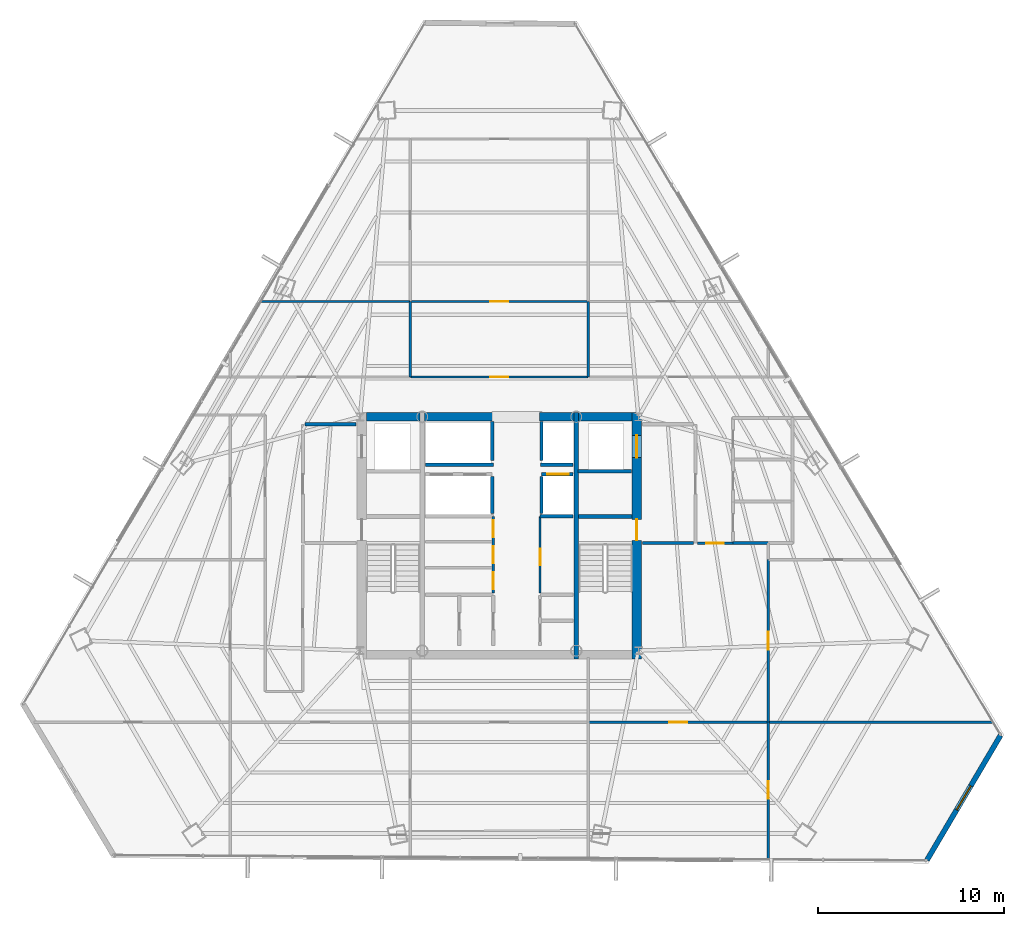
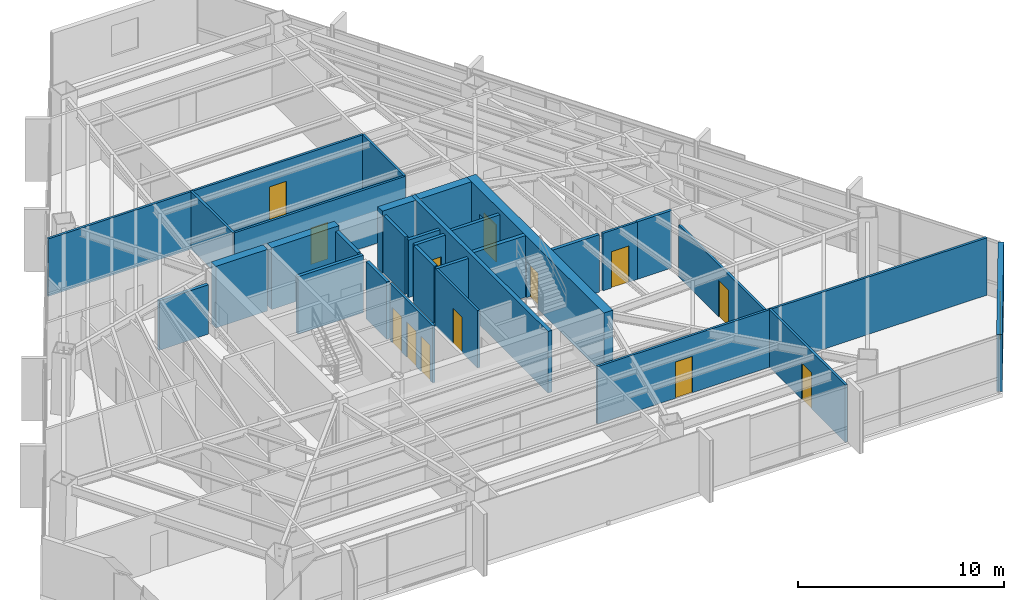
# One storey, part 37 of 41: 32 walls, 13 doors, 1 window, 14 openings.
"""IFC4 building model written with IfcOpenShell, lengths in metres."""

import ifcopenshell
import ifcopenshell.guid

model = None  # the IFC model being written
_history = None  # IfcOwnerHistory: only IFC2X3 demands one
_inside = {}  # id of a spatial element -> (the spatial element, [elements in it])
_under = {}  # id of a project, library or spatial element -> (it, [spatial elements below it])
_declared = {}  # id of a project -> (the project, [libraries it declares])
_typed = {}  # id of a type object -> (the type object, [elements of that type])
_made_of = {}  # id of a material, layer set ... -> (it, [elements and type objects made of it])


def new_model(schema):
    """Start an empty IFC model of exactly this schema.

    Asked for "IFC4X3", IfcOpenShell would pick the latest addendum, in which some entities
    have other attributes; the version numbers below select the first issue.
    IFC2X3 requires an IfcOwnerHistory on every rooted entity: one is made here for all.
    """
    global model, _history
    if schema == "IFC4X3":
        model = ifcopenshell.file(schema_version=(4, 3, 0, 0))
    else:
        model = ifcopenshell.file(schema=schema)
    _inside.clear()
    _under.clear()
    _declared.clear()
    _typed.clear()
    _made_of.clear()
    _history = None
    if model.schema == "IFC2X3":
        org = make("IfcOrganization", Name="unknown")
        user = make(
            "IfcPersonAndOrganization",
            ThePerson=make("IfcPerson", FamilyName="unknown"),
            TheOrganization=org,
        )
        app = make(
            "IfcApplication",
            ApplicationDeveloper=org,
            Version="unknown",
            ApplicationFullName="unknown",
            ApplicationIdentifier="unknown",
        )
        _history = make(
            "IfcOwnerHistory",
            OwningUser=user,
            OwningApplication=app,
            ChangeAction="ADDED",
            CreationDate=0,
        )
    return model


def make(cls, **values):
    """One entity of the class cls with the attributes given. An attribute that is None is left unset."""
    return model.create_entity(
        cls, **{name: value for name, value in values.items() if value is not None}
    )


def rooted(cls, **values):
    """An entity with a GlobalId (a new one), such as an element, a storey or a relation."""
    return make(cls, GlobalId=ifcopenshell.guid.new(), OwnerHistory=_history, **values)


def si_unit(unit_type, name, prefix=None):
    """IfcSIUnit, for example si_unit("LENGTHUNIT", "METRE", prefix="MILLI")."""
    return make("IfcSIUnit", UnitType=unit_type, Prefix=prefix, Name=name)


def assignment(units):
    """IfcUnitAssignment: the units of a project."""
    return None if units is None else make("IfcUnitAssignment", Units=units)


def point(xyz):
    """IfcCartesianPoint."""
    return None if xyz is None else make("IfcCartesianPoint", Coordinates=xyz)


def direction(xyz):
    """IfcDirection."""
    return None if xyz is None else make("IfcDirection", DirectionRatios=xyz)


def frame(location, z_axis=None, x_axis=None):
    """IfcAxis2Placement3D, a coordinate frame: its origin and axes. An axis left out is left unset."""
    return make(
        "IfcAxis2Placement3D",
        Location=point(location),
        Axis=direction(z_axis),
        RefDirection=direction(x_axis),
    )


def frame_2d(location, x_axis=None):
    """IfcAxis2Placement2D, a coordinate frame in the plane: its origin and x axis."""
    return make(
        "IfcAxis2Placement2D", Location=point(location), RefDirection=direction(x_axis)
    )


def origin():
    """The frame at (0, 0, 0) with its axes left unset."""
    return frame((0.0, 0.0, 0.0))


def place(relative_to, where):
    """IfcLocalPlacement: puts the frame where relative to a parent placement (None: the world)."""
    return make(
        "IfcLocalPlacement", PlacementRelTo=relative_to, RelativePlacement=where
    )


def context(
    kind, dimensions, precision=None, world=None, true_north=None, identifier=None
):
    """IfcGeometricRepresentationContext, for example the 3D "Model" context."""
    return make(
        "IfcGeometricRepresentationContext",
        ContextIdentifier=identifier,
        ContextType=kind,
        CoordinateSpaceDimension=dimensions,
        Precision=precision,
        WorldCoordinateSystem=world,
        TrueNorth=true_north,
    )


def subcontext(parent, identifier, kind, view, scale=None):
    """IfcGeometricRepresentationSubContext, for example "Body" below "Model"."""
    return make(
        "IfcGeometricRepresentationSubContext",
        ContextIdentifier=identifier,
        ContextType=kind,
        ParentContext=parent,
        TargetScale=scale,
        TargetView=view,
    )


def project(units=None, contexts=None):
    """IfcProject with its units and contexts."""
    return rooted(
        "IfcProject",
        Name="project",
        RepresentationContexts=contexts,
        UnitsInContext=assignment(units),
    )


def spatial(cls, under=None, at=None, **own):
    """A site, building, storey or space (cls), placed at a placement, below another one or the project."""
    s = rooted(cls, ObjectPlacement=at, **own)
    if under is not None:
        _under.setdefault(under.id(), (under, []))[1].append(s)
    return s


def profile(cls, at=None, kind="AREA", **sizes):
    """A parametric profile (cls). Its sizes go by their IFC names, for example OverallWidth=200.0."""
    return make(cls, ProfileType=kind, Position=at, **sizes)


def rectangle(**sizes):
    """IfcRectangleProfileDef."""
    return profile("IfcRectangleProfileDef", **sizes)


def extrude(swept, where, along, depth):
    """IfcExtrudedAreaSolid: the profile swept, set in the frame where, extruded along a direction by depth."""
    return make(
        "IfcExtrudedAreaSolid",
        SweptArea=swept,
        Position=where,
        ExtrudedDirection=direction(along),
        Depth=depth,
    )


def shape(context_of_items, identifier, shape_type, items):
    """IfcShapeRepresentation: the items that make up one representation, for example the "Body"."""
    return make(
        "IfcShapeRepresentation",
        ContextOfItems=context_of_items,
        RepresentationIdentifier=identifier,
        RepresentationType=shape_type,
        Items=items,
    )


def material(Name=None, Category=None):
    """IfcMaterial."""
    return make("IfcMaterial", Name=Name, Category=Category)


def layer(
    of_material, thickness, ventilated=None, Name=None, Category=None, Priority=None
):
    """IfcMaterialLayer: one layer of a wall or slab, of a material (None: an air gap)."""
    return make(
        "IfcMaterialLayer",
        Material=of_material,
        LayerThickness=thickness,
        IsVentilated=ventilated,
        Name=Name,
        Category=Category,
        Priority=Priority,
    )


def layer_set(layers, Name=None):
    """IfcMaterialLayerSet."""
    return make("IfcMaterialLayerSet", MaterialLayers=layers, LayerSetName=Name)


def made_of(thing, what):
    """Note that an element or type object is made of a material, layer set ...; save() writes the relation."""
    if what is not None:
        _made_of.setdefault(what.id(), (what, []))[1].append(thing)
    return thing


def type_object(cls, material=None, **own):
    """A type object (cls), such as IfcWallType, which elements share."""
    return made_of(rooted(cls, **own), material)


def element(
    cls,
    number,
    at=None,
    inside=None,
    cuts=None,
    type_object=None,
    material=None,
    context=None,
    identifier="Body",
    shape_type=None,
    held_by="IfcProductDefinitionShape",
    body=None,
    shapes=None,
    **own,
):
    """One element of the class cls, such as IfcWall. Its Tag is "e" and its number.

    at: its placement. inside: the storey or other place that contains it. cuts: it is an
    opening in that element (IfcRelVoidsElement). A single representation is given by context,
    identifier, shape_type and body (its items); several are given by shapes. held_by: the class
    of the entity that holds the representations. save() writes the other relations.
    """
    e = rooted(cls, Tag="e%d" % number, ObjectPlacement=at, **own)
    if body is not None:
        shapes = [shape(context, identifier, shape_type, body)]
    if shapes is not None:
        e.Representation = make(held_by, Representations=shapes)
    if inside is not None:
        _inside.setdefault(inside.id(), (inside, []))[1].append(e)
    if cuts is not None:
        rooted(
            "IfcRelVoidsElement", RelatingBuildingElement=cuts, RelatedOpeningElement=e
        )
    if type_object is not None:
        _typed.setdefault(type_object.id(), (type_object, []))[1].append(e)
    return made_of(e, material)


def fill(opening, filler):
    """IfcRelFillsElement: the door or window that sits in an opening."""
    return rooted(
        "IfcRelFillsElement",
        RelatingOpeningElement=opening,
        RelatedBuildingElement=filler,
    )


def aggregate(whole, parts):
    """IfcRelAggregates: a whole, such as a stair, and the parts it consists of."""
    return rooted("IfcRelAggregates", RelatingObject=whole, RelatedObjects=parts)


def save(model, path):
    """Write the relations noted so far, then the file.

    IfcRelAggregates (storeys below a building ...), IfcRelContainedInSpatialStructure (elements
    in a storey), IfcRelDefinesByType, IfcRelAssociatesMaterial and IfcRelDeclares: one each for
    every whole, place, type object, material and project.
    """
    for whole, parts in _under.values():
        aggregate(whole, parts)
    for where, things in _inside.values():
        rooted(
            "IfcRelContainedInSpatialStructure",
            RelatedElements=things,
            RelatingStructure=where,
        )
    for kind, things in _typed.values():
        rooted("IfcRelDefinesByType", RelatedObjects=things, RelatingType=kind)
    for what, things in _made_of.values():
        rooted("IfcRelAssociatesMaterial", RelatedObjects=things, RelatingMaterial=what)
    for by, libraries in _declared.values():
        rooted("IfcRelDeclares", RelatingContext=by, RelatedDefinitions=libraries)
    model.write(path)


model = new_model("IFC4")

# Units and contexts
model_context = context("Model", 3, precision=1e-05, world=origin(), true_north=direction((0.0, 1.0)))
body_context = subcontext(model_context, "Body", "Model", "MODEL_VIEW")
ifc_project = project(units=[si_unit("LENGTHUNIT", "METRE"), si_unit("AREAUNIT", "SQUARE_METRE"), si_unit("VOLUMEUNIT", "CUBIC_METRE"), si_unit("PLANEANGLEUNIT", "RADIAN"), si_unit("MASSUNIT", "GRAM", prefix="KILO")], contexts=[model_context])

# Site, building, storey
site_placement = place(None, origin())
site = spatial("IfcSite", under=ifc_project, at=site_placement, CompositionType="ELEMENT")
building_placement = place(site_placement, origin())
building = spatial("IfcBuilding", under=site, at=building_placement, Name="Caelisora Broadcast Tower", CompositionType="ELEMENT")
storey_placement = place(building_placement, frame((0.0, 0.0, 162.14990234375)))
storey = spatial("IfcBuildingStorey", under=building, at=storey_placement, Name="L42", CompositionType="ELEMENT", Elevation=162.14990234375)

# Wall, openings, doors
ifc_material_1 = material(Name="Concrete 50 MPa (AS 3600 S50)", Category="concrete")
ifc_layer_1 = layer(ifc_material_1, 0.5, Name="Concrete 50 MPa (AS 3600 S50)")
ifc_layer_set_1 = layer_set([ifc_layer_1], Name="Concrete 50 MPa (AS 3600 S50)")
wall_type_1 = type_object("IfcWallType", Name="CW2", PredefinedType="SHEAR", material=ifc_layer_set_1)
wall_1_placement = place(storey_placement, frame((45.409912109375, 16.949951171875, 0.0), z_axis=(0.0, 0.0, 1.0), x_axis=(0.0, 1.0, 0.0)))
wall_1 = element("IfcWall", 1, at=wall_1_placement, inside=storey, type_object=wall_type_1, Name="L42 core shear wall CW2", PredefinedType="SHEAR", context=body_context, shape_type="SweptSolid", body=[
    extrude(rectangle(XDim=13.275146484375, YDim=0.5, at=frame_2d((6.6376953125, 0.0))), origin(), (0.0, 0.0, 1.0), 3.650146484375),
])
opening_1_placement = place(wall_1_placement, frame((6.39990234375, 0.0, 0.0)))
opening_1 = element("IfcOpeningElement", 2, at=opening_1_placement, cuts=wall_1, Name="Opening FD04", PredefinedType="OPENING", context=body_context, shape_type="SweptSolid", body=[
    extrude(rectangle(XDim=1.1201171875, YDim=2.14990234375, at=frame_2d((0.56005859375, 1.074951171875))), frame((0.0, 0.261962890625, 0.0), z_axis=(0.0, -1.0, 0.0), x_axis=(1.0, 0.0, 0.0)), (0.0, 0.0, 1.0), 0.52392578125),
])
opening_2_placement = place(wall_1_placement, frame((10.85009765625, 0.0, 0.0)))
opening_2 = element("IfcOpeningElement", 3, at=opening_2_placement, cuts=wall_1, Name="Opening LD04", PredefinedType="OPENING", context=body_context, shape_type="SweptSolid", body=[
    extrude(rectangle(XDim=1.199951171875, YDim=2.199951171875, at=frame_2d((0.60009765625, 1.10009765625))), frame((0.0, 0.261962890625, 0.0), z_axis=(0.0, -1.0, 0.0), x_axis=(1.0, 0.0, 0.0)), (0.0, 0.0, 1.0), 0.52392578125),
])
ifc_material_2 = material(Name="Pressurised Fire-Isolated Stair Door", Category="steel")
door_type_1 = type_object("IfcDoorType", Name="FD04", OperationType="NOTDEFINED", PredefinedType="DOOR", material=ifc_material_2)
door_1_placement = place(opening_1_placement, origin())
door_1 = element("IfcDoor", 4, at=door_1_placement, inside=storey, type_object=door_type_1, Name="L42 door FD04 (L42-DR-ST2)", OperationType="SINGLE_SWING_RIGHT", OverallHeight=2.14990234375, OverallWidth=1.1201171875, PredefinedType="DOOR", context=body_context, shape_type="SweptSolid", body=[
    extrude(rectangle(XDim=1.1201171875, YDim=2.14990234375, at=frame_2d((0.56005859375, 1.074951171875))), frame((0.0, 0.02490234375, 0.0), z_axis=(0.0, -1.0, 0.0), x_axis=(1.0, 0.0, 0.0)), (0.0, 0.0, 1.0), 0.050048828125),
])
fill(opening_1, door_1)
ifc_material_3 = material(Name="Emergency Firefighting Lift Sliding Landing Door", Category="steel")
door_type_2 = type_object("IfcDoorType", Name="LD04", OperationType="NOTDEFINED", PredefinedType="DOOR", material=ifc_material_3)
door_2_placement = place(opening_2_placement, origin())
door_2 = element("IfcDoor", 5, at=door_2_placement, inside=storey, type_object=door_type_2, Name="L42 door LD04 (L42-LD-FFL2)", OperationType="SLIDING_TO_RIGHT", OverallHeight=2.199951171875, OverallWidth=1.199951171875, PredefinedType="DOOR", context=body_context, shape_type="SweptSolid", body=[
    extrude(rectangle(XDim=1.199951171875, YDim=2.199951171875, at=frame_2d((0.60009765625, 1.10009765625))), frame((0.0, 0.02490234375, 0.0), z_axis=(0.0, -1.0, 0.0), x_axis=(1.0, 0.0, 0.0)), (0.0, 0.0, 1.0), 0.050048828125),
])
fill(opening_2, door_2)

# Walls
ifc_layer_2 = layer(ifc_material_1, 0.449951171875, Name="Concrete 50 MPa (AS 3600 S50)")
ifc_layer_set_2 = layer_set([ifc_layer_2], Name="Concrete 50 MPa (AS 3600 S50)")
wall_type_2 = type_object("IfcWallType", Name="CW5", PredefinedType="SHEAR", material=ifc_layer_set_2)
wall_2_placement = place(storey_placement, frame((30.840087890625, 30.0, 0.0), z_axis=(0.0, 0.0, 1.0), x_axis=(1.0, 0.0, 0.0)))
element("IfcWall", 6, at=wall_2_placement, inside=storey, type_object=wall_type_2, Name="L42 core shear wall CW5", PredefinedType="SHEAR", context=body_context, shape_type="SweptSolid", body=[
    extrude(rectangle(XDim=2.89990234375, YDim=0.449951171875, at=frame_2d((1.449951171875, 0.0))), origin(), (0.0, 0.0, 1.0), 3.650146484375),
])
wall_3_placement = place(storey_placement, frame((33.9599609375, 30.0, 0.0), z_axis=(0.0, 0.0, 1.0), x_axis=(1.0, 0.0, 0.0)))
element("IfcWall", 7, at=wall_3_placement, inside=storey, type_object=wall_type_2, Name="L42 core shear wall CW5", PredefinedType="SHEAR", context=body_context, shape_type="SweptSolid", body=[
    extrude(rectangle(XDim=3.780029296875, YDim=0.449951171875, at=frame_2d((1.89013671875, 0.0))), origin(), (0.0, 0.0, 1.0), 3.650146484375),
])
wall_4_placement = place(storey_placement, frame((40.159912109375, 30.0, 0.0), z_axis=(0.0, 0.0, 1.0), x_axis=(1.0, 0.0, 0.0)))
element("IfcWall", 8, at=wall_4_placement, inside=storey, type_object=wall_type_2, Name="L42 core shear wall CW5", PredefinedType="SHEAR", context=body_context, shape_type="SweptSolid", body=[
    extrude(rectangle(XDim=1.880126953125, YDim=0.449951171875, at=frame_2d((0.93994140625, 0.0))), origin(), (0.0, 0.0, 1.0), 3.650146484375),
])
wall_5_placement = place(storey_placement, frame((42.260009765625, 30.0, 0.0), z_axis=(0.0, 0.0, 1.0), x_axis=(1.0, 0.0, 0.0)))
element("IfcWall", 9, at=wall_5_placement, inside=storey, type_object=wall_type_2, Name="L42 core shear wall CW5", PredefinedType="SHEAR", context=body_context, shape_type="SweptSolid", body=[
    extrude(rectangle(XDim=2.89990234375, YDim=0.449951171875, at=frame_2d((1.449951171875, 0.0))), origin(), (0.0, 0.0, 1.0), 3.650146484375),
])
ifc_layer_3 = layer(ifc_material_1, 0.219970703125, Name="Concrete 50 MPa (AS 3600 S50)")
ifc_layer_set_3 = layer_set([ifc_layer_3], Name="Concrete 50 MPa (AS 3600 S50)")
wall_type_3 = type_object("IfcWallType", Name="CW7", PredefinedType="SHEAR", material=ifc_layer_set_3)
wall_6_placement = place(storey_placement, frame((42.14990234375, 16.949951171875, 0.0), z_axis=(0.0, 0.0, 1.0), x_axis=(0.0, 1.0, 0.0)))
element("IfcWall", 10, at=wall_6_placement, inside=storey, type_object=wall_type_3, Name="L42 core shear wall CW7", PredefinedType="SHEAR", context=body_context, shape_type="SweptSolid", body=[
    extrude(rectangle(XDim=13.275146484375, YDim=0.219970703125, at=frame_2d((6.6376953125, 0.0))), origin(), (0.0, 0.0, 1.0), 3.650146484375),
])
wall_7_placement = place(storey_placement, frame((42.260009765625, 24.639892578125, 0.0), z_axis=(0.0, 0.0, 1.0), x_axis=(1.0, 0.0, 0.0)))
element("IfcWall", 11, at=wall_7_placement, inside=storey, type_object=wall_type_3, Name="L42 core shear wall CW7", PredefinedType="SHEAR", context=body_context, shape_type="SweptSolid", body=[
    extrude(rectangle(XDim=2.89990234375, YDim=0.219970703125, at=frame_2d((1.449951171875, 0.0))), origin(), (0.0, 0.0, 1.0), 3.650146484375),
])

# Wall, opening, window
ifc_material_4 = material(Name="Insulated Terracotta Spandrel Wall System", Category="masonry")
ifc_layer_4 = layer(ifc_material_4, 0.280029296875, Name="Insulated Terracotta Spandrel Wall System")
ifc_layer_set_4 = layer_set([ifc_layer_4], Name="Insulated Terracotta Spandrel Wall System")
wall_type_4 = type_object("IfcWallType", Name="EW1", PredefinedType="STANDARD", material=ifc_layer_set_4)
wall_8_placement = place(storey_placement, frame((65.017822265625, 12.8291015625, 0.0), z_axis=(0.0, 0.0, 1.0), x_axis=(-0.508020168487, -0.86134517379, 0.0)))
wall_8 = element("IfcWall", 12, at=wall_8_placement, inside=storey, type_object=wall_type_4, Name="L42 exterior envelope wall EW1", PredefinedType="STANDARD", context=body_context, shape_type="SweptSolid", body=[
    extrude(rectangle(XDim=7.79638671875, YDim=0.280029296875, at=frame_2d((3.898193359375, 0.0))), origin(), (0.0, 0.0, 1.0), 3.400146484375),
])
opening_3_placement = place(wall_8_placement, frame((3.14990234375, 0.0, 0.89990234375)))
opening_3 = element("IfcOpeningElement", 13, at=opening_3_placement, cuts=wall_8, Name="Opening W02", PredefinedType="OPENING", context=body_context, shape_type="SweptSolid", body=[
    extrude(rectangle(XDim=1.5, YDim=1.800048828125, at=frame_2d((0.75, 0.89990234375))), frame((0.0, 0.152099609375, 0.0), z_axis=(0.0, -1.0, 0.0), x_axis=(1.0, 0.0, 0.0)), (0.0, 0.0, 1.0), 0.303955078125),
])
ifc_material_5 = material(Name="Double Glazed Terracotta-Framed Vision Window", Category="glass")
window_type = type_object("IfcWindowType", Name="W02", PartitioningType="SINGLE_PANEL", PredefinedType="WINDOW", material=ifc_material_5)
window_placement = place(opening_3_placement, origin())
window = element("IfcWindow", 14, at=window_placement, inside=storey, type_object=window_type, Name="L42 window W02 (L42-WN-CH0)", OverallHeight=1.800048828125, OverallWidth=1.5, PartitioningType="SINGLE_PANEL", PredefinedType="WINDOW", context=body_context, shape_type="SweptSolid", body=[
    extrude(rectangle(XDim=1.5, YDim=1.800048828125, at=frame_2d((0.75, 0.89990234375))), frame((0.0, 0.030029296875, 0.0), z_axis=(0.0, -1.0, 0.0), x_axis=(1.0, 0.0, 0.0)), (0.0, 0.0, 1.0), 0.06005859375),
])
fill(opening_3, window)

# Wall, opening, door
ifc_material_6 = material(Name="Fire-Rated Gypsum Shaft and Compartment Wall", Category="gypsum")
ifc_layer_5 = layer(ifc_material_6, 0.179931640625, Name="Fire-Rated Gypsum Shaft and Compartment Wall")
ifc_layer_set_5 = layer_set([ifc_layer_5], Name="Fire-Rated Gypsum Shaft and Compartment Wall")
wall_type_5 = type_object("IfcWallType", Name="PW2", PredefinedType="PARTITIONING", material=ifc_layer_set_5)
wall_9_placement = place(storey_placement, frame((40.280029296875, 26.89990234375, 0.0), z_axis=(0.0, 0.0, 1.0), x_axis=(1.0, 0.0, 0.0)))
wall_9 = element("IfcWall", 15, at=wall_9_placement, inside=storey, type_object=wall_type_5, Name="L42 fire compartment wall PW2", PredefinedType="PARTITIONING", context=body_context, shape_type="SweptSolid", body=[
    extrude(rectangle(XDim=1.699951171875, YDim=0.179931640625, at=frame_2d((0.85009765625, 0.0))), origin(), (0.0, 0.0, 1.0), 3.400146484375),
])
opening_4_placement = place(wall_9_placement, frame((0.320068359375, 0.0, 0.0)))
opening_4 = element("IfcOpeningElement", 16, at=opening_4_placement, cuts=wall_9, Name="Opening LD02", PredefinedType="OPENING", context=body_context, shape_type="SweptSolid", body=[
    extrude(rectangle(XDim=1.14990234375, YDim=2.199951171875, at=frame_2d((0.574951171875, 1.10009765625))), frame((0.0, 0.10205078125, 0.0), z_axis=(0.0, -1.0, 0.0), x_axis=(1.0, 0.0, 0.0)), (0.0, 0.0, 1.0), 0.203857421875),
])
ifc_material_7 = material(Name="High-Speed Express Lift Sliding Landing Door", Category="steel")
door_type_3 = type_object("IfcDoorType", Name="LD02", OperationType="NOTDEFINED", PredefinedType="DOOR", material=ifc_material_7)
door_3_placement = place(opening_4_placement, origin())
door_3 = element("IfcDoor", 17, at=door_3_placement, inside=storey, type_object=door_type_3, Name="L42 door LD02 (L42-LD-PLM3)", OperationType="SLIDING_TO_LEFT", OverallHeight=2.199951171875, OverallWidth=1.14990234375, PredefinedType="DOOR", context=body_context, shape_type="SweptSolid", body=[
    extrude(rectangle(XDim=1.14990234375, YDim=2.199951171875, at=frame_2d((0.574951171875, 1.10009765625))), frame((0.0, 0.02490234375, 0.0), z_axis=(0.0, -1.0, 0.0), x_axis=(1.0, 0.0, 0.0)), (0.0, 0.0, 1.0), 0.050048828125),
])
fill(opening_4, door_3)

# Walls
for number, where, z_axis, x_axis, name in (
    (18, (37.6201171875, 24.800048828125, 0.0), (0.0, 0.0, 1.0), (0.0, 1.0, 0.0), "L42 fire compartment wall PW2"),
    (19, (40.280029296875, 24.800048828125, 0.0), (0.0, 0.0, 1.0), (0.0, 1.0, 0.0), "L42 fire compartment wall PW2"),
):
    element("IfcWall", number, at=place(storey_placement, frame(where, z_axis=z_axis, x_axis=x_axis)), inside=storey, type_object=wall_type_5, Name=name, PredefinedType="PARTITIONING", context=body_context, shape_type="SweptSolid", body=[
        extrude(rectangle(XDim=2.0, YDim=0.179931640625, at=frame_2d((1.0, 0.0))), origin(), (0.0, 0.0, 1.0), 3.400146484375),
    ])
wall_10_placement = place(storey_placement, frame((40.199951171875, 24.639892578125, 0.0), z_axis=(0.0, 0.0, 1.0), x_axis=(1.0, 0.0, 0.0)))
element("IfcWall", 20, at=wall_10_placement, inside=storey, type_object=wall_type_5, Name="L42 fire compartment wall PW2", PredefinedType="PARTITIONING", context=body_context, shape_type="SweptSolid", body=[
    extrude(rectangle(XDim=1.780029296875, YDim=0.179931640625, at=frame_2d((0.89013671875, 0.0))), origin(), (0.0, 0.0, 1.0), 3.400146484375),
])
wall_11_placement = place(storey_placement, frame((34.02001953125, 27.419921875, 0.0), z_axis=(0.0, 0.0, 1.0), x_axis=(1.0, 0.0, 0.0)))
element("IfcWall", 21, at=wall_11_placement, inside=storey, type_object=wall_type_5, Name="L42 fire compartment wall PW2", PredefinedType="PARTITIONING", context=body_context, shape_type="SweptSolid", body=[
    extrude(rectangle(XDim=3.659912109375, YDim=0.179931640625, at=frame_2d((1.830078125, 0.0))), origin(), (0.0, 0.0, 1.0), 3.400146484375),
])
wall_12_placement = place(storey_placement, frame((40.219970703125, 27.419921875, 0.0), z_axis=(0.0, 0.0, 1.0), x_axis=(1.0, 0.0, 0.0)))
element("IfcWall", 22, at=wall_12_placement, inside=storey, type_object=wall_type_5, Name="L42 fire compartment wall PW2", PredefinedType="PARTITIONING", context=body_context, shape_type="SweptSolid", body=[
    extrude(rectangle(XDim=1.760009765625, YDim=0.179931640625, at=frame_2d((0.8798828125, 0.0))), origin(), (0.0, 0.0, 1.0), 3.400146484375),
])
for number, where, z_axis, x_axis, name in (
    (23, (37.6201171875, 27.639892578125, 0.0), (0.0, 0.0, 1.0), (0.0, 1.0, 0.0), "L42 fire compartment wall PW2"),
    (24, (40.280029296875, 27.639892578125, 0.0), (0.0, 0.0, 1.0), (0.0, 1.0, 0.0), "L42 fire compartment wall PW2"),
):
    element("IfcWall", number, at=place(storey_placement, frame(where, z_axis=z_axis, x_axis=x_axis)), inside=storey, type_object=wall_type_5, Name=name, PredefinedType="PARTITIONING", context=body_context, shape_type="SweptSolid", body=[
        extrude(rectangle(XDim=2.110107421875, YDim=0.179931640625, at=frame_2d((1.05517578125, 0.0))), origin(), (0.0, 0.0, 1.0), 3.400146484375),
    ])
wall_13_placement = place(storey_placement, frame((27.52001953125, 29.60009765625, 0.0), z_axis=(0.0, 0.0, 1.0), x_axis=(1.0, 0.0, 0.0)))
element("IfcWall", 25, at=wall_13_placement, inside=storey, type_object=wall_type_5, Name="L42 fire compartment wall PW2", PredefinedType="PARTITIONING", context=body_context, shape_type="SweptSolid", body=[
    extrude(rectangle(XDim=2.760009765625, YDim=0.179931640625, at=frame_2d((1.3798828125, 0.0))), origin(), (0.0, 0.0, 1.0), 2.9248046875),
])
wall_14_placement = place(storey_placement, frame((45.719970703125, 23.199951171875, 0.0), z_axis=(0.0, 0.0, 1.0), x_axis=(1.0, 0.0, 0.0)))
element("IfcWall", 26, at=wall_14_placement, inside=storey, type_object=wall_type_5, Name="L42 fire compartment wall PW2", PredefinedType="PARTITIONING", context=body_context, shape_type="SweptSolid", body=[
    extrude(rectangle(XDim=2.760009765625, YDim=0.179931640625, at=frame_2d((1.3798828125, 0.0))), origin(), (0.0, 0.0, 1.0), 3.400146484375),
])
wall_15_placement = place(storey_placement, frame((42.239990234375, 27.070068359375, 0.0), z_axis=(0.0, 0.0, 1.0), x_axis=(1.0, 0.0, 0.0)))
element("IfcWall", 27, at=wall_15_placement, inside=storey, type_object=wall_type_5, Name="L42 fire compartment wall PW2", PredefinedType="PARTITIONING", context=body_context, shape_type="SweptSolid", body=[
    extrude(rectangle(XDim=2.89990234375, YDim=0.179931640625, at=frame_2d((1.449951171875, 0.0))), origin(), (0.0, 0.0, 1.0), 3.400146484375),
])

# Wall, openings, doors
ifc_material_8 = material(Name="Acoustic Steel-Stud Plasterboard Partition", Category="gypsum")
ifc_layer_6 = layer(ifc_material_8, 0.1298828125, Name="Acoustic Steel-Stud Plasterboard Partition")
ifc_layer_set_6 = layer_set([ifc_layer_6], Name="Acoustic Steel-Stud Plasterboard Partition")
wall_type_6 = type_object("IfcWallType", Name="PW3", PredefinedType="PARTITIONING", material=ifc_layer_set_6)
wall_16_placement = place(storey_placement, frame((37.679931640625, 20.5, 0.0), z_axis=(0.0, 0.0, 1.0), x_axis=(0.0, 1.0, 0.0)))
wall_16 = element("IfcWall", 28, at=wall_16_placement, inside=storey, type_object=wall_type_6, Name="L42 internal partition PW3", PredefinedType="PARTITIONING", context=body_context, shape_type="SweptSolid", body=[
    extrude(rectangle(XDim=4.139892578125, YDim=0.1298828125, at=frame_2d((2.06982421875, 0.0))), origin(), (0.0, 0.0, 1.0), 3.400146484375),
])
opening_5_placement = place(wall_16_placement, frame((0.219970703125, 0.0, 0.0)))
opening_5 = element("IfcOpeningElement", 29, at=opening_5_placement, cuts=wall_16, Name="Opening FD03", PredefinedType="OPENING", context=body_context, shape_type="SweptSolid", body=[
    extrude(rectangle(XDim=0.89990234375, YDim=2.10009765625, at=frame_2d((0.449951171875, 1.050048828125))), frame((0.0, 0.076904296875, 0.0), z_axis=(0.0, -1.0, 0.0), x_axis=(1.0, 0.0, 0.0)), (0.0, 0.0, 1.0), 0.15380859375),
])
opening_6_placement = place(wall_16_placement, frame((1.6201171875, 0.0, 0.0)))
opening_6 = element("IfcOpeningElement", 30, at=opening_6_placement, cuts=wall_16, Name="Opening FD03", PredefinedType="OPENING", context=body_context, shape_type="SweptSolid", body=[
    extrude(rectangle(XDim=0.89990234375, YDim=2.10009765625, at=frame_2d((0.449951171875, 1.050048828125))), frame((0.0, 0.076904296875, 0.0), z_axis=(0.0, -1.0, 0.0), x_axis=(1.0, 0.0, 0.0)), (0.0, 0.0, 1.0), 0.15380859375),
])
opening_7_placement = place(wall_16_placement, frame((3.02001953125, 0.0, 0.0)))
opening_7 = element("IfcOpeningElement", 31, at=opening_7_placement, cuts=wall_16, Name="Opening FD03", PredefinedType="OPENING", context=body_context, shape_type="SweptSolid", body=[
    extrude(rectangle(XDim=0.89990234375, YDim=2.10009765625, at=frame_2d((0.449951171875, 1.050048828125))), frame((0.0, 0.076904296875, 0.0), z_axis=(0.0, -1.0, 0.0), x_axis=(1.0, 0.0, 0.0)), (0.0, 0.0, 1.0), 0.15380859375),
])
ifc_material_9 = material(Name="Single-Leaf Steel Riser Fire Access Door", Category="steel")
door_type_4 = type_object("IfcDoorType", Name="FD03", OperationType="NOTDEFINED", PredefinedType="DOOR", material=ifc_material_9)
door_4_placement = place(opening_5_placement, origin())
door_4 = element("IfcDoor", 32, at=door_4_placement, inside=storey, type_object=door_type_4, Name="L42 door FD03 (L42-DR-P13D1)", OperationType="SINGLE_SWING_RIGHT", OverallHeight=2.10009765625, OverallWidth=0.89990234375, PredefinedType="DOOR", context=body_context, shape_type="SweptSolid", body=[
    extrude(rectangle(XDim=0.89990234375, YDim=2.10009765625, at=frame_2d((0.449951171875, 1.050048828125))), frame((0.0, 0.02490234375, 0.0), z_axis=(0.0, -1.0, 0.0), x_axis=(1.0, 0.0, 0.0)), (0.0, 0.0, 1.0), 0.050048828125),
])
fill(opening_5, door_4)
door_5_placement = place(opening_6_placement, origin())
door_5 = element("IfcDoor", 33, at=door_5_placement, inside=storey, type_object=door_type_4, Name="L42 door FD03 (L42-DR-P13D2)", OperationType="SINGLE_SWING_LEFT", OverallHeight=2.10009765625, OverallWidth=0.89990234375, PredefinedType="DOOR", context=body_context, shape_type="SweptSolid", body=[
    extrude(rectangle(XDim=0.89990234375, YDim=2.10009765625, at=frame_2d((0.449951171875, 1.050048828125))), frame((0.0, 0.02490234375, 0.0), z_axis=(0.0, -1.0, 0.0), x_axis=(1.0, 0.0, 0.0)), (0.0, 0.0, 1.0), 0.050048828125),
])
fill(opening_6, door_5)
door_6_placement = place(opening_7_placement, origin())
door_6 = element("IfcDoor", 34, at=door_6_placement, inside=storey, type_object=door_type_4, Name="L42 door FD03 (L42-DR-P13D3)", OperationType="SINGLE_SWING_RIGHT", OverallHeight=2.10009765625, OverallWidth=0.89990234375, PredefinedType="DOOR", context=body_context, shape_type="SweptSolid", body=[
    extrude(rectangle(XDim=0.89990234375, YDim=2.10009765625, at=frame_2d((0.449951171875, 1.050048828125))), frame((0.0, 0.02490234375, 0.0), z_axis=(0.0, -1.0, 0.0), x_axis=(1.0, 0.0, 0.0)), (0.0, 0.0, 1.0), 0.050048828125),
])
fill(opening_7, door_6)

# Wall, opening, door
wall_17_placement = place(storey_placement, frame((40.199951171875, 20.5, 0.0), z_axis=(0.0, 0.0, 1.0), x_axis=(0.0, 1.0, 0.0)))
wall_17 = element("IfcWall", 35, at=wall_17_placement, inside=storey, type_object=wall_type_6, Name="L42 internal partition PW3", PredefinedType="PARTITIONING", context=body_context, shape_type="SweptSolid", body=[
    extrude(rectangle(XDim=4.139892578125, YDim=0.1298828125, at=frame_2d((2.06982421875, 0.0))), origin(), (0.0, 0.0, 1.0), 3.400146484375),
])
opening_8_placement = place(wall_17_placement, frame((1.5, 0.0, 0.0)))
opening_8 = element("IfcOpeningElement", 36, at=opening_8_placement, cuts=wall_17, Name="Opening FD03", PredefinedType="OPENING", context=body_context, shape_type="SweptSolid", body=[
    extrude(rectangle(XDim=0.89990234375, YDim=2.10009765625, at=frame_2d((0.449951171875, 1.050048828125))), frame((0.0, 0.076904296875, 0.0), z_axis=(0.0, -1.0, 0.0), x_axis=(1.0, 0.0, 0.0)), (0.0, 0.0, 1.0), 0.15380859375),
])
door_7_placement = place(opening_8_placement, origin())
door_7 = element("IfcDoor", 37, at=door_7_placement, inside=storey, type_object=door_type_4, Name="L42 door FD03 (L42-DR-P14D1)", OperationType="SINGLE_SWING_LEFT", OverallHeight=2.10009765625, OverallWidth=0.89990234375, PredefinedType="DOOR", context=body_context, shape_type="SweptSolid", body=[
    extrude(rectangle(XDim=0.89990234375, YDim=2.10009765625, at=frame_2d((0.449951171875, 1.050048828125))), frame((0.0, 0.02490234375, 0.0), z_axis=(0.0, -1.0, 0.0), x_axis=(1.0, 0.0, 0.0)), (0.0, 0.0, 1.0), 0.050048828125),
])
fill(opening_8, door_7)

# Wall
wall_18_placement = place(storey_placement, frame((52.5048828125, 13.550048828125, 0.0), z_axis=(0.0, 0.0, 1.0), x_axis=(1.0, 0.0, 0.0)))
element("IfcWall", 38, at=wall_18_placement, inside=storey, type_object=wall_type_6, Name="L42 internal partition PW3", PredefinedType="PARTITIONING", context=body_context, shape_type="SweptSolid", body=[
    extrude(rectangle(XDim=12.11767578125, YDim=0.1298828125, at=frame_2d((6.058837890625, 0.0))), origin(), (0.0, 0.0, 1.0), 3.400146484375),
])

# Wall, opening, door
wall_19_placement = place(storey_placement, frame((42.804931640625, 13.550048828125, 0.0), z_axis=(0.0, 0.0, 1.0), x_axis=(1.0, 0.0, 0.0)))
wall_19 = element("IfcWall", 39, at=wall_19_placement, inside=storey, type_object=wall_type_6, Name="L42 internal partition PW3", PredefinedType="PARTITIONING", context=body_context, shape_type="SweptSolid", body=[
    extrude(rectangle(XDim=9.690185546875, YDim=0.1298828125, at=frame_2d((4.84521484375, 0.0))), origin(), (0.0, 0.0, 1.0), 3.400146484375),
])
opening_9_placement = place(wall_19_placement, frame((4.364990234375, 0.0, 0.0)))
opening_9 = element("IfcOpeningElement", 40, at=opening_9_placement, cuts=wall_19, Name="Opening D01", PredefinedType="OPENING", context=body_context, shape_type="SweptSolid", body=[
    extrude(rectangle(XDim=0.9599609375, YDim=2.14990234375, at=frame_2d((0.47998046875, 1.074951171875))), frame((0.0, 0.076904296875, 0.0), z_axis=(0.0, -1.0, 0.0), x_axis=(1.0, 0.0, 0.0)), (0.0, 0.0, 1.0), 0.15380859375),
])
ifc_material_10 = material(Name="Solid-Core Timber Acoustic Office Door", Category="wood")
door_type_5 = type_object("IfcDoorType", Name="D01", OperationType="NOTDEFINED", PredefinedType="DOOR", material=ifc_material_10)
door_8_placement = place(opening_9_placement, origin())
door_8 = element("IfcDoor", 41, at=door_8_placement, inside=storey, type_object=door_type_5, Name="L42 door D01 (L42-DR-P37D1)", OperationType="SINGLE_SWING_LEFT", OverallHeight=2.14990234375, OverallWidth=0.9599609375, PredefinedType="DOOR", context=body_context, shape_type="SweptSolid", body=[
    extrude(rectangle(XDim=0.9599609375, YDim=2.14990234375, at=frame_2d((0.47998046875, 1.074951171875))), frame((0.0, 0.02490234375, 0.0), z_axis=(0.0, -1.0, 0.0), x_axis=(1.0, 0.0, 0.0)), (0.0, 0.0, 1.0), 0.050048828125),
])
fill(opening_9, door_8)

wall_20_placement = place(storey_placement, frame((33.205078125, 32.14990234375, 0.0), z_axis=(0.0, 0.0, 1.0), x_axis=(1.0, 0.0, 0.0)))
wall_20 = element("IfcWall", 42, at=wall_20_placement, inside=storey, type_object=wall_type_6, Name="L42 internal partition PW3", PredefinedType="PARTITIONING", context=body_context, shape_type="SweptSolid", body=[
    extrude(rectangle(XDim=9.58984375, YDim=0.1298828125, at=frame_2d((4.794921875, 0.0))), origin(), (0.0, 0.0, 1.0), 3.400146484375),
])
opening_10_placement = place(wall_20_placement, frame((4.31494140625, 0.0, 0.0)))
opening_10 = element("IfcOpeningElement", 43, at=opening_10_placement, cuts=wall_20, Name="Opening D01", PredefinedType="OPENING", context=body_context, shape_type="SweptSolid", body=[
    extrude(rectangle(XDim=0.9599609375, YDim=2.14990234375, at=frame_2d((0.47998046875, 1.074951171875))), frame((0.0, 0.076904296875, 0.0), z_axis=(0.0, -1.0, 0.0), x_axis=(1.0, 0.0, 0.0)), (0.0, 0.0, 1.0), 0.15380859375),
])
door_9_placement = place(opening_10_placement, origin())
door_9 = element("IfcDoor", 44, at=door_9_placement, inside=storey, type_object=door_type_5, Name="L42 door D01 (L42-DR-P38D1)", OperationType="SINGLE_SWING_RIGHT", OverallHeight=2.14990234375, OverallWidth=0.9599609375, PredefinedType="DOOR", context=body_context, shape_type="SweptSolid", body=[
    extrude(rectangle(XDim=0.9599609375, YDim=2.14990234375, at=frame_2d((0.47998046875, 1.074951171875))), frame((0.0, 0.02490234375, 0.0), z_axis=(0.0, -1.0, 0.0), x_axis=(1.0, 0.0, 0.0)), (0.0, 0.0, 1.0), 0.050048828125),
])
fill(opening_10, door_9)

wall_21_placement = place(storey_placement, frame((33.205078125, 36.219970703125, 0.0), z_axis=(0.0, 0.0, 1.0), x_axis=(1.0, 0.0, 0.0)))
wall_21 = element("IfcWall", 45, at=wall_21_placement, inside=storey, type_object=wall_type_6, Name="L42 internal partition PW3", PredefinedType="PARTITIONING", context=body_context, shape_type="SweptSolid", body=[
    extrude(rectangle(XDim=9.58984375, YDim=0.1298828125, at=frame_2d((4.794921875, 0.0))), origin(), (0.0, 0.0, 1.0), 3.400146484375),
])
opening_11_placement = place(wall_21_placement, frame((4.31494140625, 0.0, 0.0)))
opening_11 = element("IfcOpeningElement", 46, at=opening_11_placement, cuts=wall_21, Name="Opening D01", PredefinedType="OPENING", context=body_context, shape_type="SweptSolid", body=[
    extrude(rectangle(XDim=0.9599609375, YDim=2.14990234375, at=frame_2d((0.47998046875, 1.074951171875))), frame((0.0, 0.076904296875, 0.0), z_axis=(0.0, -1.0, 0.0), x_axis=(1.0, 0.0, 0.0)), (0.0, 0.0, 1.0), 0.15380859375),
])
door_10_placement = place(opening_11_placement, origin())
door_10 = element("IfcDoor", 47, at=door_10_placement, inside=storey, type_object=door_type_5, Name="L42 door D01 (L42-DR-P41D1)", OperationType="SINGLE_SWING_LEFT", OverallHeight=2.14990234375, OverallWidth=0.9599609375, PredefinedType="DOOR", context=body_context, shape_type="SweptSolid", body=[
    extrude(rectangle(XDim=0.9599609375, YDim=2.14990234375, at=frame_2d((0.47998046875, 1.074951171875))), frame((0.0, 0.02490234375, 0.0), z_axis=(0.0, -1.0, 0.0), x_axis=(1.0, 0.0, 0.0)), (0.0, 0.0, 1.0), 0.050048828125),
])
fill(opening_11, door_10)

wall_22_placement = place(storey_placement, frame((52.5, 13.554931640625, 0.0), z_axis=(0.0, 0.0, 1.0), x_axis=(0.0, 1.0, 0.0)))
wall_22 = element("IfcWall", 48, at=wall_22_placement, inside=storey, type_object=wall_type_6, Name="L42 internal partition PW3", PredefinedType="PARTITIONING", context=body_context, shape_type="SweptSolid", body=[
    extrude(rectangle(XDim=8.75, YDim=0.1298828125, at=frame_2d((4.375, 0.0))), origin(), (0.0, 0.0, 1.0), 3.077880859375),
])
opening_12_placement = place(wall_22_placement, frame((3.89501953125, 0.0, 0.0)))
opening_12 = element("IfcOpeningElement", 49, at=opening_12_placement, cuts=wall_22, Name="Opening D01", PredefinedType="OPENING", context=body_context, shape_type="SweptSolid", body=[
    extrude(rectangle(XDim=0.9599609375, YDim=2.14990234375, at=frame_2d((0.47998046875, 1.074951171875))), frame((0.0, 0.076904296875, 0.0), z_axis=(0.0, -1.0, 0.0), x_axis=(1.0, 0.0, 0.0)), (0.0, 0.0, 1.0), 0.15380859375),
])
door_11_placement = place(opening_12_placement, origin())
door_11 = element("IfcDoor", 50, at=door_11_placement, inside=storey, type_object=door_type_5, Name="L42 door D01 (L42-DR-P43D1)", OperationType="SINGLE_SWING_LEFT", OverallHeight=2.14990234375, OverallWidth=0.9599609375, PredefinedType="DOOR", context=body_context, shape_type="SweptSolid", body=[
    extrude(rectangle(XDim=0.9599609375, YDim=2.14990234375, at=frame_2d((0.47998046875, 1.074951171875))), frame((0.0, 0.02490234375, 0.0), z_axis=(0.0, -1.0, 0.0), x_axis=(1.0, 0.0, 0.0)), (0.0, 0.0, 1.0), 0.050048828125),
])
fill(opening_12, door_11)

# Wall
wall_23_placement = place(storey_placement, frame((25.141845703125, 36.219970703125, 0.0), z_axis=(0.0, 0.0, 1.0), x_axis=(1.0, 0.0, 0.0)))
element("IfcWall", 51, at=wall_23_placement, inside=storey, type_object=wall_type_6, Name="L42 internal partition PW3", PredefinedType="PARTITIONING", context=body_context, shape_type="SweptSolid", body=[
    extrude(rectangle(XDim=8.05322265625, YDim=0.1298828125, at=frame_2d((4.026611328125, 0.0))), origin(), (0.0, 0.0, 1.0), 3.400146484375),
])

# Wall, opening, door
wall_24_placement = place(storey_placement, frame((52.5, 6.138427734375, 0.0), z_axis=(0.0, 0.0, 1.0), x_axis=(0.0, 1.0, 0.0)))
wall_24 = element("IfcWall", 52, at=wall_24_placement, inside=storey, type_object=wall_type_6, Name="L42 internal partition PW3", PredefinedType="PARTITIONING", context=body_context, shape_type="SweptSolid", body=[
    extrude(rectangle(XDim=7.406494140625, YDim=0.1298828125, at=frame_2d((3.703125, 0.0))), origin(), (0.0, 0.0, 1.0), 3.400146484375),
])
opening_13_placement = place(wall_24_placement, frame((3.27197265625, 0.0, 0.0)))
opening_13 = element("IfcOpeningElement", 53, at=opening_13_placement, cuts=wall_24, Name="Opening D01", PredefinedType="OPENING", context=body_context, shape_type="SweptSolid", body=[
    extrude(rectangle(XDim=0.9599609375, YDim=2.14990234375, at=frame_2d((0.47998046875, 1.074951171875))), frame((0.0, 0.076904296875, 0.0), z_axis=(0.0, -1.0, 0.0), x_axis=(1.0, 0.0, 0.0)), (0.0, 0.0, 1.0), 0.15380859375),
])
door_12_placement = place(opening_13_placement, origin())
door_12 = element("IfcDoor", 54, at=door_12_placement, inside=storey, type_object=door_type_5, Name="L42 door D01 (L42-DR-P52D1)", OperationType="SINGLE_SWING_LEFT", OverallHeight=2.14990234375, OverallWidth=0.9599609375, PredefinedType="DOOR", context=body_context, shape_type="SweptSolid", body=[
    extrude(rectangle(XDim=0.9599609375, YDim=2.14990234375, at=frame_2d((0.47998046875, 1.074951171875))), frame((0.0, 0.02490234375, 0.0), z_axis=(0.0, -1.0, 0.0), x_axis=(1.0, 0.0, 0.0)), (0.0, 0.0, 1.0), 0.050048828125),
])
fill(opening_13, door_12)

# Walls
for number, where, z_axis, x_axis, name in (
    (55, (42.800048828125, 32.155029296875, 0.0), (0.0, 0.0, 1.0), (0.0, 1.0, 0.0), "L42 internal partition PW3"),
    (56, (33.199951171875, 32.155029296875, 0.0), (0.0, 0.0, 1.0), (0.0, 1.0, 0.0), "L42 internal partition PW3"),
):
    element("IfcWall", number, at=place(storey_placement, frame(where, z_axis=z_axis, x_axis=x_axis)), inside=storey, type_object=wall_type_6, Name=name, PredefinedType="PARTITIONING", context=body_context, shape_type="SweptSolid", body=[
        extrude(rectangle(XDim=4.06005859375, YDim=0.1298828125, at=frame_2d((2.030029296875, 0.0))), origin(), (0.0, 0.0, 1.0), 3.400146484375),
    ])

# Wall, opening, door
wall_25_placement = place(storey_placement, frame((48.675048828125, 23.179931640625, 0.0), z_axis=(0.0, 0.0, 1.0), x_axis=(1.0, 0.0, 0.0)))
wall_25 = element("IfcWall", 57, at=wall_25_placement, inside=storey, type_object=wall_type_6, Name="L42 internal partition PW3", PredefinedType="PARTITIONING", context=body_context, shape_type="SweptSolid", body=[
    extrude(rectangle(XDim=1.919921875, YDim=0.1298828125, at=frame_2d((0.9599609375, 0.0))), origin(), (0.0, 0.0, 1.0), 3.400146484375),
])
opening_14_placement = place(wall_25_placement, frame((0.47998046875, 0.0, 0.0)))
opening_14 = element("IfcOpeningElement", 58, at=opening_14_placement, cuts=wall_25, Name="Opening D01", PredefinedType="OPENING", context=body_context, shape_type="SweptSolid", body=[
    extrude(rectangle(XDim=0.9599609375, YDim=2.14990234375, at=frame_2d((0.47998046875, 1.074951171875))), frame((0.0, 0.076904296875, 0.0), z_axis=(0.0, -1.0, 0.0), x_axis=(1.0, 0.0, 0.0)), (0.0, 0.0, 1.0), 0.15380859375),
])
door_13_placement = place(opening_14_placement, origin())
door_13 = element("IfcDoor", 59, at=door_13_placement, inside=storey, type_object=door_type_5, Name="L42 door D01 (L42-DR-P66D1)", OperationType="SINGLE_SWING_RIGHT", OverallHeight=2.14990234375, OverallWidth=0.9599609375, PredefinedType="DOOR", context=body_context, shape_type="SweptSolid", body=[
    extrude(rectangle(XDim=0.9599609375, YDim=2.14990234375, at=frame_2d((0.47998046875, 1.074951171875))), frame((0.0, 0.02490234375, 0.0), z_axis=(0.0, -1.0, 0.0), x_axis=(1.0, 0.0, 0.0)), (0.0, 0.0, 1.0), 0.050048828125),
])
fill(opening_14, door_13)

# Wall
ifc_material_11 = material(Name="Moisture-Resistant Wet Plumbing Service Wall", Category="gypsum")
ifc_layer_7 = layer(ifc_material_11, 0.159912109375, Name="Moisture-Resistant Wet Plumbing Service Wall")
ifc_layer_set_7 = layer_set([ifc_layer_7], Name="Moisture-Resistant Wet Plumbing Service Wall")
wall_type_7 = type_object("IfcWallType", Name="PW4", PredefinedType="PLUMBINGWALL", material=ifc_layer_set_7)
wall_26_placement = place(storey_placement, frame((50.574951171875, 23.199951171875, 0.0), z_axis=(0.0, 0.0, 1.0), x_axis=(1.0, 0.0, 0.0)))
element("IfcWall", 60, at=wall_26_placement, inside=storey, type_object=wall_type_7, Name="L42 wet plumbing wall PW4", PredefinedType="PLUMBINGWALL", context=body_context, shape_type="SweptSolid", body=[
    extrude(rectangle(XDim=1.949951171875, YDim=0.159912109375, at=frame_2d((0.97509765625, 0.0))), origin(), (0.0, 0.0, 1.0), 3.400146484375),
])

save(model, "model.ifc")
